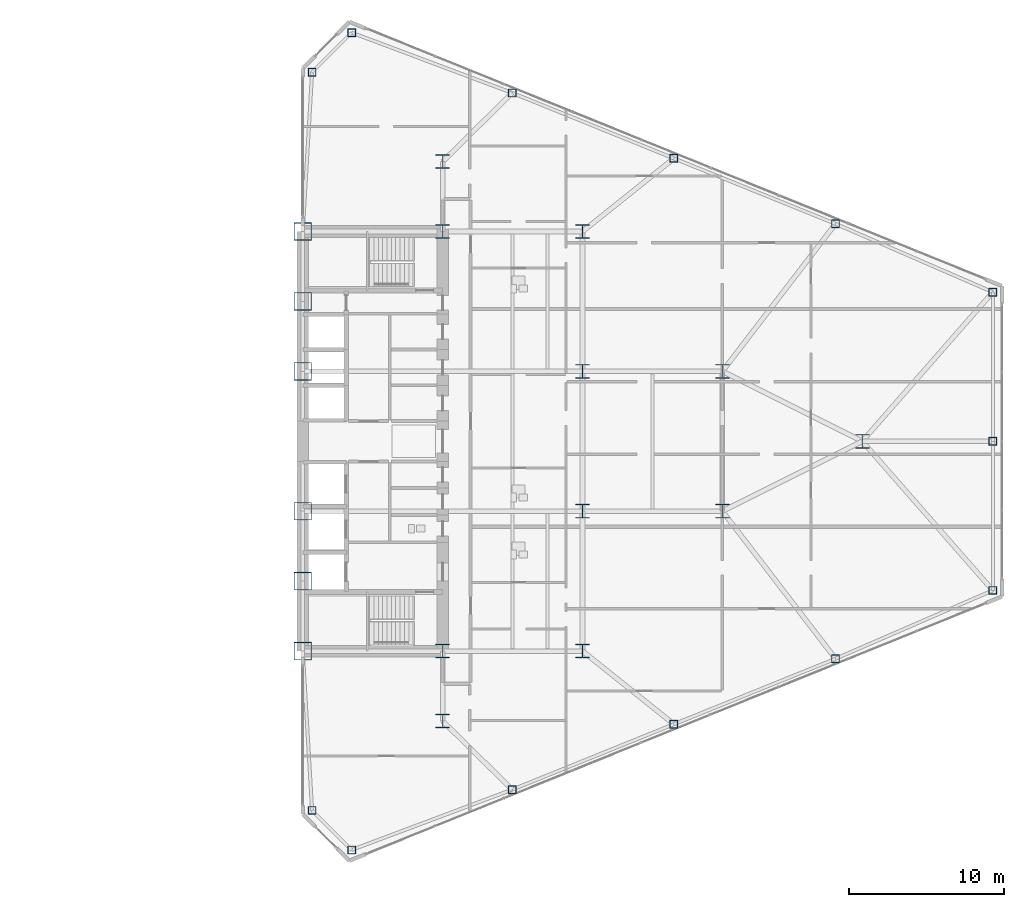
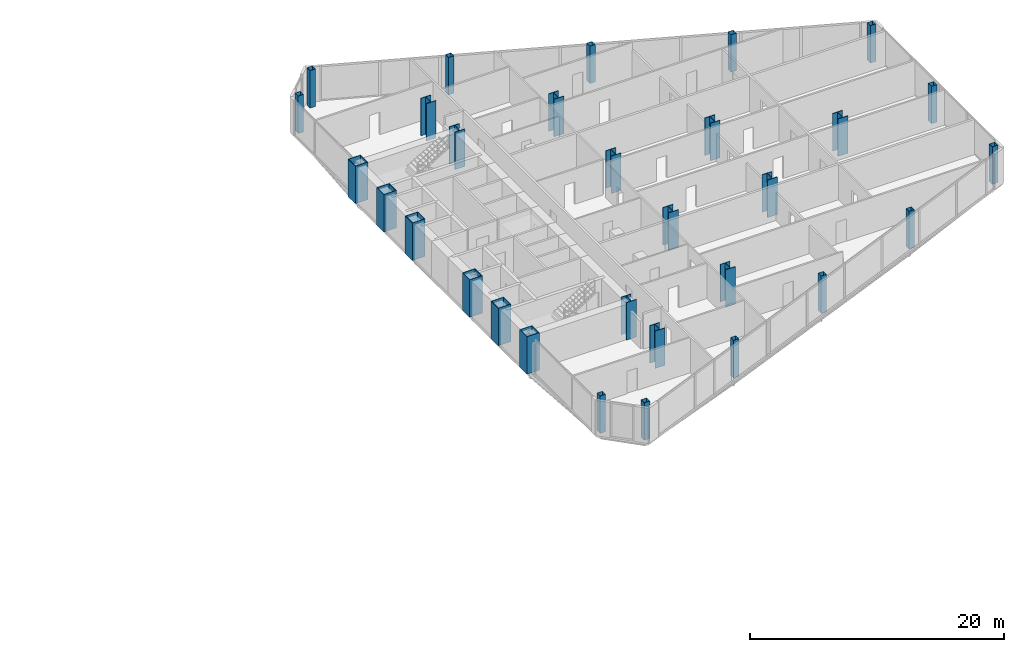
# One storey, part 2 of 25: 30 columns.
"""IFC4 building model written with IfcOpenShell, lengths in metres."""

import ifcopenshell
import ifcopenshell.guid

model = None  # the IFC model being written
_history = None  # IfcOwnerHistory: only IFC2X3 demands one
_inside = {}  # id of a spatial element -> (the spatial element, [elements in it])
_under = {}  # id of a project, library or spatial element -> (it, [spatial elements below it])
_declared = {}  # id of a project -> (the project, [libraries it declares])
_typed = {}  # id of a type object -> (the type object, [elements of that type])
_made_of = {}  # id of a material, layer set ... -> (it, [elements and type objects made of it])


def new_model(schema):
    """Start an empty IFC model of exactly this schema.

    Asked for "IFC4X3", IfcOpenShell would pick the latest addendum, in which some entities
    have other attributes; the version numbers below select the first issue.
    IFC2X3 requires an IfcOwnerHistory on every rooted entity: one is made here for all.
    """
    global model, _history
    if schema == "IFC4X3":
        model = ifcopenshell.file(schema_version=(4, 3, 0, 0))
    else:
        model = ifcopenshell.file(schema=schema)
    _inside.clear()
    _under.clear()
    _declared.clear()
    _typed.clear()
    _made_of.clear()
    _history = None
    if model.schema == "IFC2X3":
        org = make("IfcOrganization", Name="unknown")
        user = make(
            "IfcPersonAndOrganization",
            ThePerson=make("IfcPerson", FamilyName="unknown"),
            TheOrganization=org,
        )
        app = make(
            "IfcApplication",
            ApplicationDeveloper=org,
            Version="unknown",
            ApplicationFullName="unknown",
            ApplicationIdentifier="unknown",
        )
        _history = make(
            "IfcOwnerHistory",
            OwningUser=user,
            OwningApplication=app,
            ChangeAction="ADDED",
            CreationDate=0,
        )
    return model


def make(cls, **values):
    """One entity of the class cls with the attributes given. An attribute that is None is left unset."""
    return model.create_entity(
        cls, **{name: value for name, value in values.items() if value is not None}
    )


def rooted(cls, **values):
    """An entity with a GlobalId (a new one), such as an element, a storey or a relation."""
    return make(cls, GlobalId=ifcopenshell.guid.new(), OwnerHistory=_history, **values)


def si_unit(unit_type, name, prefix=None):
    """IfcSIUnit, for example si_unit("LENGTHUNIT", "METRE", prefix="MILLI")."""
    return make("IfcSIUnit", UnitType=unit_type, Prefix=prefix, Name=name)


def assignment(units):
    """IfcUnitAssignment: the units of a project."""
    return None if units is None else make("IfcUnitAssignment", Units=units)


def point(xyz):
    """IfcCartesianPoint."""
    return None if xyz is None else make("IfcCartesianPoint", Coordinates=xyz)


def direction(xyz):
    """IfcDirection."""
    return None if xyz is None else make("IfcDirection", DirectionRatios=xyz)


def frame(location, z_axis=None, x_axis=None):
    """IfcAxis2Placement3D, a coordinate frame: its origin and axes. An axis left out is left unset."""
    return make(
        "IfcAxis2Placement3D",
        Location=point(location),
        Axis=direction(z_axis),
        RefDirection=direction(x_axis),
    )


def frame_2d(location, x_axis=None):
    """IfcAxis2Placement2D, a coordinate frame in the plane: its origin and x axis."""
    return make(
        "IfcAxis2Placement2D", Location=point(location), RefDirection=direction(x_axis)
    )


def origin():
    """The frame at (0, 0, 0) with its axes left unset."""
    return frame((0.0, 0.0, 0.0))


def origin_2d():
    """The frame at (0, 0) in the plane with its x axis left unset."""
    return frame_2d((0.0, 0.0))


def place(relative_to, where):
    """IfcLocalPlacement: puts the frame where relative to a parent placement (None: the world)."""
    return make(
        "IfcLocalPlacement", PlacementRelTo=relative_to, RelativePlacement=where
    )


def context(
    kind, dimensions, precision=None, world=None, true_north=None, identifier=None
):
    """IfcGeometricRepresentationContext, for example the 3D "Model" context."""
    return make(
        "IfcGeometricRepresentationContext",
        ContextIdentifier=identifier,
        ContextType=kind,
        CoordinateSpaceDimension=dimensions,
        Precision=precision,
        WorldCoordinateSystem=world,
        TrueNorth=true_north,
    )


def subcontext(parent, identifier, kind, view, scale=None):
    """IfcGeometricRepresentationSubContext, for example "Body" below "Model"."""
    return make(
        "IfcGeometricRepresentationSubContext",
        ContextIdentifier=identifier,
        ContextType=kind,
        ParentContext=parent,
        TargetScale=scale,
        TargetView=view,
    )


def project(units=None, contexts=None):
    """IfcProject with its units and contexts."""
    return rooted(
        "IfcProject",
        Name="project",
        RepresentationContexts=contexts,
        UnitsInContext=assignment(units),
    )


def spatial(cls, under=None, at=None, **own):
    """A site, building, storey or space (cls), placed at a placement, below another one or the project."""
    s = rooted(cls, ObjectPlacement=at, **own)
    if under is not None:
        _under.setdefault(under.id(), (under, []))[1].append(s)
    return s


def profile(cls, at=None, kind="AREA", **sizes):
    """A parametric profile (cls). Its sizes go by their IFC names, for example OverallWidth=200.0."""
    return make(cls, ProfileType=kind, Position=at, **sizes)


def hollow_rectangle(**sizes):
    """IfcRectangleHollowProfileDef."""
    return profile("IfcRectangleHollowProfileDef", **sizes)


def i_section(**sizes):
    """IfcIShapeProfileDef."""
    return profile("IfcIShapeProfileDef", **sizes)


def extrude(swept, where, along, depth):
    """IfcExtrudedAreaSolid: the profile swept, set in the frame where, extruded along a direction by depth."""
    return make(
        "IfcExtrudedAreaSolid",
        SweptArea=swept,
        Position=where,
        ExtrudedDirection=direction(along),
        Depth=depth,
    )


def shape(context_of_items, identifier, shape_type, items):
    """IfcShapeRepresentation: the items that make up one representation, for example the "Body"."""
    return make(
        "IfcShapeRepresentation",
        ContextOfItems=context_of_items,
        RepresentationIdentifier=identifier,
        RepresentationType=shape_type,
        Items=items,
    )


def source(mapping_origin, context_of_items, identifier, shape_type, items):
    """IfcRepresentationMap: a shape defined once, which mapped items show again and again."""
    return make(
        "IfcRepresentationMap",
        MappingOrigin=mapping_origin,
        MappedRepresentation=shape(context_of_items, identifier, shape_type, items),
    )


def transform(
    local_origin,
    x_axis=None,
    y_axis=None,
    z_axis=None,
    scale=None,
    scale2=None,
    scale3=None,
    uniform=True,
):
    """IfcCartesianTransformationOperator3D, or its non-uniform kind. x_axis, y_axis, z_axis: its Axis1, 2, 3."""
    if uniform:
        return make(
            "IfcCartesianTransformationOperator3D",
            Axis1=direction(x_axis),
            Axis2=direction(y_axis),
            LocalOrigin=point(local_origin),
            Scale=scale,
            Axis3=direction(z_axis),
        )
    return make(
        "IfcCartesianTransformationOperator3DnonUniform",
        Axis1=direction(x_axis),
        Axis2=direction(y_axis),
        LocalOrigin=point(local_origin),
        Scale=scale,
        Axis3=direction(z_axis),
        Scale2=scale2,
        Scale3=scale3,
    )


def mapped(mapping_source, mapping_target):
    """IfcMappedItem: shows the shape of a source again, moved by a transform."""
    return make(
        "IfcMappedItem", MappingSource=mapping_source, MappingTarget=mapping_target
    )


def material(Name=None, Category=None):
    """IfcMaterial."""
    return make("IfcMaterial", Name=Name, Category=Category)


def material_profile(
    of_material, cross_section, Name=None, Category=None, Priority=None
):
    """IfcMaterialProfile: a cross section and its material."""
    return make(
        "IfcMaterialProfile",
        Name=Name,
        Material=of_material,
        Profile=cross_section,
        Priority=Priority,
        Category=Category,
    )


def profile_set(profiles, Name=None, composite=None):
    """IfcMaterialProfileSet."""
    return make(
        "IfcMaterialProfileSet",
        Name=Name,
        MaterialProfiles=profiles,
        CompositeProfile=composite,
    )


def made_of(thing, what):
    """Note that an element or type object is made of a material, layer set ...; save() writes the relation."""
    if what is not None:
        _made_of.setdefault(what.id(), (what, []))[1].append(thing)
    return thing


def type_object(cls, material=None, **own):
    """A type object (cls), such as IfcWallType, which elements share."""
    return made_of(rooted(cls, **own), material)


def type_shapes(of_type, sources):
    """Give a type object the sources (RepresentationMaps) that its elements show as mapped items."""
    of_type.RepresentationMaps = sources


def element(
    cls,
    number,
    at=None,
    inside=None,
    cuts=None,
    type_object=None,
    material=None,
    context=None,
    identifier="Body",
    shape_type=None,
    held_by="IfcProductDefinitionShape",
    body=None,
    shapes=None,
    **own,
):
    """One element of the class cls, such as IfcWall. Its Tag is "e" and its number.

    at: its placement. inside: the storey or other place that contains it. cuts: it is an
    opening in that element (IfcRelVoidsElement). A single representation is given by context,
    identifier, shape_type and body (its items); several are given by shapes. held_by: the class
    of the entity that holds the representations. save() writes the other relations.
    """
    e = rooted(cls, Tag="e%d" % number, ObjectPlacement=at, **own)
    if body is not None:
        shapes = [shape(context, identifier, shape_type, body)]
    if shapes is not None:
        e.Representation = make(held_by, Representations=shapes)
    if inside is not None:
        _inside.setdefault(inside.id(), (inside, []))[1].append(e)
    if cuts is not None:
        rooted(
            "IfcRelVoidsElement", RelatingBuildingElement=cuts, RelatedOpeningElement=e
        )
    if type_object is not None:
        _typed.setdefault(type_object.id(), (type_object, []))[1].append(e)
    return made_of(e, material)


def aggregate(whole, parts):
    """IfcRelAggregates: a whole, such as a stair, and the parts it consists of."""
    return rooted("IfcRelAggregates", RelatingObject=whole, RelatedObjects=parts)


def save(model, path):
    """Write the relations noted so far, then the file.

    IfcRelAggregates (storeys below a building ...), IfcRelContainedInSpatialStructure (elements
    in a storey), IfcRelDefinesByType, IfcRelAssociatesMaterial and IfcRelDeclares: one each for
    every whole, place, type object, material and project.
    """
    for whole, parts in _under.values():
        aggregate(whole, parts)
    for where, things in _inside.values():
        rooted(
            "IfcRelContainedInSpatialStructure",
            RelatedElements=things,
            RelatingStructure=where,
        )
    for kind, things in _typed.values():
        rooted("IfcRelDefinesByType", RelatedObjects=things, RelatingType=kind)
    for what, things in _made_of.values():
        rooted("IfcRelAssociatesMaterial", RelatedObjects=things, RelatingMaterial=what)
    for by, libraries in _declared.values():
        rooted("IfcRelDeclares", RelatingContext=by, RelatedDefinitions=libraries)
    model.write(path)


model = new_model("IFC4")

# Units and contexts
model_context = context("Model", 3, precision=1e-05, world=origin(), true_north=direction((0.0, 1.0)))
body_context = subcontext(model_context, "Body", "Model", "MODEL_VIEW")
ifc_project = project(units=[si_unit("LENGTHUNIT", "METRE"), si_unit("AREAUNIT", "SQUARE_METRE"), si_unit("VOLUMEUNIT", "CUBIC_METRE"), si_unit("PLANEANGLEUNIT", "RADIAN"), si_unit("MASSUNIT", "GRAM", prefix="KILO")], contexts=[model_context])

# Site, building, storey
site_placement = place(None, origin())
site = spatial("IfcSite", under=ifc_project, at=site_placement, CompositionType="ELEMENT")
building_placement = place(site_placement, origin())
building = spatial("IfcBuilding", under=site, at=building_placement, Name="Seokmaru Belvedere", CompositionType="ELEMENT")
storey_placement = place(building_placement, frame((0.0, 0.0, 54.89990234375)))
storey = spatial("IfcBuildingStorey", under=building, at=storey_placement, Name="L14", CompositionType="ELEMENT", Elevation=54.89990234375)

# Columns
ifc_material_1 = material(Name="Steel HSA650 (650 MPa)", Category="steel")
ifc_material_profile_1 = material_profile(ifc_material_1, hollow_rectangle(XDim=1.14990234375, YDim=1.14990234375, WallThickness=0.048095703125, at=origin_2d()), Name="BOX-1150x1150x48")
ifc_profile_set_1 = profile_set([ifc_material_profile_1], Name="Steel HSA650 (650 MPa)")
column_type_1 = type_object("IfcColumnType", Name="Portal Spine Column BOX-1150", PredefinedType="COLUMN", material=ifc_profile_set_1)
shared_shape_1 = source(origin(), body_context, "Body", "SweptSolid", [
    extrude(hollow_rectangle(XDim=1.14990234375, YDim=1.14990234375, WallThickness=0.048095703125, at=origin_2d()), origin(), (0.0, 0.0, 1.0), 3.60009765625),
])
type_shapes(column_type_1, [shared_shape_1])
for number, where, z_axis, x_axis, name in (
    (1, (27.5, -13.5, 0.0), (0.0, 0.0, 1.0), (1.0, 0.0, 0.0), "L14 Column ES1"),
    (2, (27.5, -9.0, 0.0), (0.0, 0.0, 1.0), (1.0, 0.0, 0.0), "L14 Column ES2"),
    (3, (27.5, -4.5, 0.0), (0.0, 0.0, 1.0), (1.0, 0.0, 0.0), "L14 Column ES3"),
    (4, (27.5, 4.5, 0.0), (0.0, 0.0, 1.0), (1.0, 0.0, 0.0), "L14 Column ES4"),
    (5, (27.5, 9.0, 0.0), (0.0, 0.0, 1.0), (1.0, 0.0, 0.0), "L14 Column ES5"),
    (6, (27.5, 13.5, 0.0), (0.0, 0.0, 1.0), (1.0, 0.0, 0.0), "L14 Column ES6"),
):
    element("IfcColumn", number, at=place(storey_placement, frame(where, z_axis=z_axis, x_axis=x_axis)), inside=storey, type_object=column_type_1, Name=name, PredefinedType="COLUMN", context=body_context, shape_type="MappedRepresentation", body=[
        mapped(shared_shape_1, transform((0.0, 0.0, 0.0), scale=1.0)),
    ])
ifc_material_profile_2 = material_profile(ifc_material_1, i_section(OverallWidth=0.89990234375, OverallDepth=0.89990234375, WebThickness=0.035888671875, FlangeThickness=0.054931640625, at=origin_2d()), Name="H-900x900x36x55")
ifc_profile_set_2 = profile_set([ifc_material_profile_2], Name="Steel HSA650 (650 MPa)")
column_type_2 = type_object("IfcColumnType", Name="Lower Interior Column H-900", PredefinedType="COLUMN", material=ifc_profile_set_2)
shared_shape_2 = source(origin(), body_context, "Body", "SweptSolid", [
    extrude(i_section(OverallWidth=0.89990234375, OverallDepth=0.89990234375, WebThickness=0.035888671875, FlangeThickness=0.054931640625, at=origin_2d()), origin(), (0.0, 0.0, 1.0), 3.60009765625),
])
type_shapes(column_type_2, [shared_shape_2])
for number, where, z_axis, x_axis, name in (
    (7, (36.5, -18.0, 0.0), (0.0, 0.0, 1.0), (1.0, 0.0, 0.0), "L14 Column EC1"),
    (8, (36.5, -13.5, 0.0), (0.0, 0.0, 1.0), (1.0, 0.0, 0.0), "L14 Column EC2"),
    (9, (36.5, 13.5, 0.0), (0.0, 0.0, 1.0), (1.0, 0.0, 0.0), "L14 Column EC3"),
    (10, (36.5, 18.0, 0.0), (0.0, 0.0, 1.0), (1.0, 0.0, 0.0), "L14 Column EC4"),
    (11, (45.5, -13.5, 0.0), (0.0, 0.0, 1.0), (1.0, 0.0, 0.0), "L14 Column EG5_1"),
    (12, (45.5, -4.5, 0.0), (0.0, 0.0, 1.0), (1.0, 0.0, 0.0), "L14 Column EG5_2"),
    (13, (45.5, 4.5, 0.0), (0.0, 0.0, 1.0), (1.0, 0.0, 0.0), "L14 Column EG5_3"),
    (14, (45.5, 13.5, 0.0), (0.0, 0.0, 1.0), (1.0, 0.0, 0.0), "L14 Column EG5_4"),
    (15, (54.5, -4.5, 0.0), (0.0, 0.0, 1.0), (1.0, 0.0, 0.0), "L14 Column EG4P_1"),
    (16, (54.5, 4.5, 0.0), (0.0, 0.0, 1.0), (1.0, 0.0, 0.0), "L14 Column EG4P_2"),
    (17, (63.5, 0.0, 0.0), (0.0, 0.0, 1.0), (1.0, 0.0, 0.0), "L14 Column EG3P_1"),
):
    element("IfcColumn", number, at=place(storey_placement, frame(where, z_axis=z_axis, x_axis=x_axis)), inside=storey, type_object=column_type_2, Name=name, PredefinedType="COLUMN", context=body_context, shape_type="MappedRepresentation", body=[
        mapped(shared_shape_2, transform((0.0, 0.0, 0.0), scale=1.0)),
    ])
ifc_material_2 = material(Name="Steel SM355 (355 MPa)", Category="steel")
ifc_material_profile_3 = material_profile(ifc_material_2, hollow_rectangle(XDim=0.5, YDim=0.5, WallThickness=0.02001953125, at=origin_2d()), Name="HSS-500x500x20")
ifc_profile_set_3 = profile_set([ifc_material_profile_3], Name="Steel SM355 (355 MPa)")
column_type_3 = type_object("IfcColumnType", Name="Perimeter Facet Column HSS-500", PredefinedType="COLUMN", material=ifc_profile_set_3)
shared_shape_3 = source(origin(), body_context, "Body", "SweptSolid", [
    extrude(hollow_rectangle(XDim=0.5, YDim=0.5, WallThickness=0.02001953125, at=origin_2d()), origin(), (0.0, 0.0, 1.0), 3.60009765625),
])
type_shapes(column_type_3, [shared_shape_3])
for number, where, z_axis, x_axis, name in (
    (18, (30.643310546875, -26.294677734375, 0.0), (0.0, 0.0, 1.0), (1.0, 0.0, 0.0), "L14 Column EF1"),
    (19, (71.89990234375, -9.595703125, 0.0), (0.0, 0.0, 1.0), (1.0, 0.0, 0.0), "L14 Column EF2"),
    (20, (71.89990234375, 9.595703125, 0.0), (0.0, 0.0, 1.0), (1.0, 0.0, 0.0), "L14 Column EF3"),
    (21, (30.643310546875, 26.294677734375, 0.0), (0.0, 0.0, 1.0), (1.0, 0.0, 0.0), "L14 Column EF4"),
    (22, (28.10009765625, 23.75146484375, 0.0), (0.0, 0.0, 1.0), (1.0, 0.0, 0.0), "L14 Column EF5"),
    (23, (28.10009765625, -23.75146484375, 0.0), (0.0, 0.0, 1.0), (1.0, 0.0, 0.0), "L14 Column EF6"),
    (24, (40.977294921875, -22.4140625, 0.0), (0.0, 0.0, 1.0), (1.0, 0.0, 0.0), "L14 Column EFLK_S1"),
    (25, (51.378173828125, -18.2041015625, 0.0), (0.0, 0.0, 1.0), (1.0, 0.0, 0.0), "L14 Column EFLK_S2"),
    (26, (61.779052734375, -13.994140625, 0.0), (0.0, 0.0, 1.0), (1.0, 0.0, 0.0), "L14 Column EFLK_S3"),
    (27, (40.977294921875, 22.4140625, 0.0), (0.0, 0.0, 1.0), (1.0, 0.0, 0.0), "L14 Column EFLK_N1"),
    (28, (51.378173828125, 18.2041015625, 0.0), (0.0, 0.0, 1.0), (1.0, 0.0, 0.0), "L14 Column EFLK_N2"),
    (29, (61.779052734375, 13.994140625, 0.0), (0.0, 0.0, 1.0), (1.0, 0.0, 0.0), "L14 Column EFLK_N3"),
    (30, (71.89990234375, 0.0, 0.0), (0.0, 0.0, 1.0), (1.0, 0.0, 0.0), "L14 Column EF_APXM"),
):
    element("IfcColumn", number, at=place(storey_placement, frame(where, z_axis=z_axis, x_axis=x_axis)), inside=storey, type_object=column_type_3, Name=name, PredefinedType="COLUMN", context=body_context, shape_type="MappedRepresentation", body=[
        mapped(shared_shape_3, transform((0.0, 0.0, 0.0), scale=1.0)),
    ])

save(model, "model.ifc")
